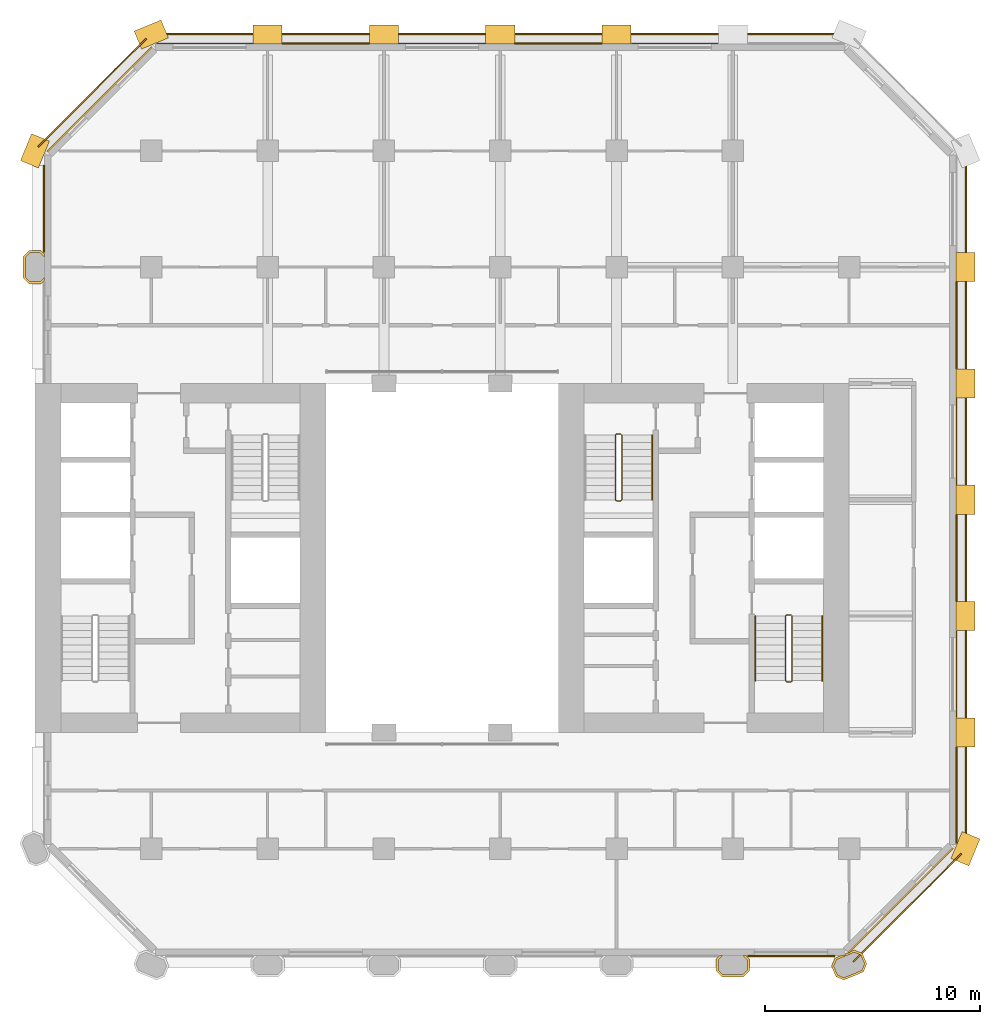
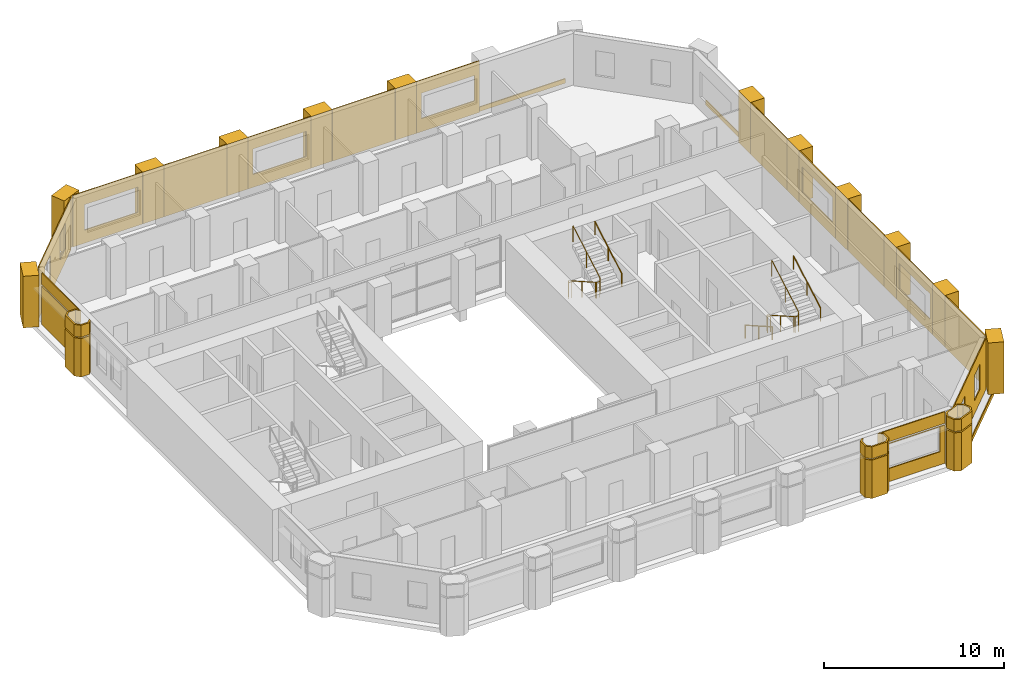
# One storey, part 10 of 11: 38 coverings, 5 railings.
"""IFC4 building model written with IfcOpenShell, lengths in metres."""

from ifc_helpers import new_model, si_unit, direction, frame, frame_2d, origin, origin_2d, place, context, subcontext, project, spatial, polyline, rectangle, circle, outline, extrude, material, layer, layer_set, type_object, element, save


model = new_model("IFC4")

# Units and contexts
model_context = context("Model", 3, precision=1e-05, world=origin(), true_north=direction((0.0, 1.0)))
body_context = subcontext(model_context, "Body", "Model", "MODEL_VIEW")
ifc_project = project(units=[si_unit("LENGTHUNIT", "METRE"), si_unit("AREAUNIT", "SQUARE_METRE"), si_unit("VOLUMEUNIT", "CUBIC_METRE"), si_unit("PLANEANGLEUNIT", "RADIAN"), si_unit("MASSUNIT", "GRAM", prefix="KILO")], contexts=[model_context])

# Site, building, storey
site_placement = place(None, origin())
site = spatial("IfcSite", under=ifc_project, at=site_placement, CompositionType="ELEMENT")
building_placement = place(site_placement, origin())
building = spatial("IfcBuilding", under=site, at=building_placement, Name="Tabaq Tower and Sports Hall", CompositionType="ELEMENT")
storey_placement = place(building_placement, frame((0.0, 0.0, 84.0)))
storey = spatial("IfcBuildingStorey", under=building, at=storey_placement, Name="L19", CompositionType="ELEMENT", Elevation=84.0)

# Coverings
ifc_material_1 = material(Name="Precast concrete C60/75", Category="concrete")
ifc_layer_1 = layer(ifc_material_1, 0.10009765625)
ifc_layer_set_1 = layer_set([ifc_layer_1], Name="Column cladding 100")
covering_type_1 = type_object("IfcCoveringType", Name="Column cladding 100", PredefinedType="CLADDING", material=ifc_layer_set_1)
covering_1_placement = place(storey_placement, origin())
element("IfcCovering", 1, at=covering_1_placement, inside=storey, type_object=covering_type_1, Name="Column cladding L19 PC-2H-O2", PredefinedType="CLADDING", context=body_context, shape_type="SweptSolid", body=[
    extrude(outline(polyline([(5.1337890625, 37.025390625), (4.850341796875, 37.30859375), (4.850341796875, 38.291259765625), (5.1337890625, 38.57470703125), (5.666259765625, 38.57470703125), (5.849609375, 38.391357421875), (5.849609375, 38.250732421875), (5.625244140625, 38.475341796875), (5.1748046875, 38.475341796875), (4.94970703125, 38.250244140625), (4.94970703125, 37.349853515625), (5.1748046875, 37.124755859375), (5.625244140625, 37.124755859375), (5.849609375, 37.349365234375), (5.849609375, 37.208740234375), (5.666259765625, 37.025390625), (5.1337890625, 37.025390625)])), origin(), (0.0, 0.0, 1.0), 2.60009765625),
])
covering_2_placement = place(storey_placement, frame((0.0, 0.0, 2.699951171875)))
element("IfcCovering", 2, at=covering_2_placement, inside=storey, type_object=covering_type_1, Name="Column cladding L19 PC-2H-O2 2", PredefinedType="CLADDING", context=body_context, shape_type="SweptSolid", body=[
    extrude(outline(polyline([(5.1337890625, 37.025390625), (4.850341796875, 37.30859375), (4.850341796875, 38.291259765625), (5.1337890625, 38.57470703125), (5.666259765625, 38.57470703125), (5.849609375, 38.391357421875), (5.849609375, 38.250732421875), (5.625244140625, 38.475341796875), (5.1748046875, 38.475341796875), (4.94970703125, 38.250244140625), (4.94970703125, 37.349853515625), (5.1748046875, 37.124755859375), (5.625244140625, 37.124755859375), (5.849609375, 37.349365234375), (5.849609375, 37.208740234375), (5.666259765625, 37.025390625), (5.1337890625, 37.025390625)])), origin(), (0.0, 0.0, 1.0), 0.800048828125),
])
covering_3_placement = place(storey_placement, origin())
element("IfcCovering", 3, at=covering_3_placement, inside=storey, type_object=covering_type_1, Name="Column cladding L19 PC-8B-O2", PredefinedType="CLADDING", context=body_context, shape_type="SweptSolid", body=[
    extrude(outline(polyline([(37.025390625, 5.666259765625), (37.208740234375, 5.849609375), (37.349365234375, 5.849609375), (37.124755859375, 5.625244140625), (37.124755859375, 5.1748046875), (37.349853515625, 4.94970703125), (38.250244140625, 4.94970703125), (38.475341796875, 5.1748046875), (38.475341796875, 5.625244140625), (38.250732421875, 5.849609375), (38.391357421875, 5.849609375), (38.57470703125, 5.666259765625), (38.57470703125, 5.1337890625), (38.291259765625, 4.850341796875), (37.30859375, 4.850341796875), (37.025390625, 5.1337890625), (37.025390625, 5.666259765625)])), origin(), (0.0, 0.0, 1.0), 2.60009765625),
])
covering_4_placement = place(storey_placement, frame((0.0, 0.0, 2.699951171875)))
element("IfcCovering", 4, at=covering_4_placement, inside=storey, type_object=covering_type_1, Name="Column cladding L19 PC-8B-O2 2", PredefinedType="CLADDING", context=body_context, shape_type="SweptSolid", body=[
    extrude(outline(polyline([(37.025390625, 5.666259765625), (37.208740234375, 5.849609375), (37.349365234375, 5.849609375), (37.124755859375, 5.625244140625), (37.124755859375, 5.1748046875), (37.349853515625, 4.94970703125), (38.250244140625, 4.94970703125), (38.475341796875, 5.1748046875), (38.475341796875, 5.625244140625), (38.250732421875, 5.849609375), (38.391357421875, 5.849609375), (38.57470703125, 5.666259765625), (38.57470703125, 5.1337890625), (38.291259765625, 4.850341796875), (37.30859375, 4.850341796875), (37.025390625, 5.1337890625), (37.025390625, 5.666259765625)])), origin(), (0.0, 0.0, 1.0), 0.800048828125),
])
covering_5_placement = place(storey_placement, origin())
element("IfcCovering", 5, at=covering_5_placement, inside=storey, type_object=covering_type_1, Name="Column cladding L19 PC-9B-O2", PredefinedType="CLADDING", context=body_context, shape_type="SweptSolid", body=[
    extrude(outline(polyline([(42.38232421875, 5.349609375), (42.53564453125, 5.7197265625), (42.84912109375, 5.849609375), (43.013916015625, 5.849609375), (43.013916015625, 5.91796875), (43.16748046875, 5.9814453125), (43.198974609375, 5.9501953125), (43.27490234375, 6.026123046875), (43.443603515625, 6.095947265625), (43.813720703125, 5.9423828125), (44.017578125, 5.450439453125), (43.8642578125, 5.080078125), (42.95654296875, 4.7041015625), (42.586181640625, 4.857421875), (42.38232421875, 5.349609375)]), holes=[polyline([(43.91015625, 5.450439453125), (43.73779296875, 5.866455078125), (43.443603515625, 5.98828125), (42.61181640625, 5.643798828125), (42.489990234375, 5.349609375), (42.662353515625, 4.93359375), (42.95654296875, 4.811767578125), (43.7880859375, 5.15625), (43.91015625, 5.450439453125)])]), origin(), (0.0, 0.0, 1.0), 2.60009765625),
])
covering_6_placement = place(storey_placement, frame((0.0, 0.0, 2.699951171875)))
element("IfcCovering", 6, at=covering_6_placement, inside=storey, type_object=covering_type_1, Name="Column cladding L19 PC-9B-O2 2", PredefinedType="CLADDING", context=body_context, shape_type="SweptSolid", body=[
    extrude(outline(polyline([(42.38232421875, 5.349609375), (42.53564453125, 5.7197265625), (42.84912109375, 5.849609375), (43.013916015625, 5.849609375), (43.013916015625, 5.91796875), (43.16748046875, 5.9814453125), (43.198974609375, 5.9501953125), (43.27490234375, 6.026123046875), (43.443603515625, 6.095947265625), (43.813720703125, 5.9423828125), (44.017578125, 5.450439453125), (43.8642578125, 5.080078125), (42.95654296875, 4.7041015625), (42.586181640625, 4.857421875), (42.38232421875, 5.349609375)]), holes=[polyline([(43.91015625, 5.450439453125), (43.73779296875, 5.866455078125), (43.443603515625, 5.98828125), (42.61181640625, 5.643798828125), (42.489990234375, 5.349609375), (42.662353515625, 4.93359375), (42.95654296875, 4.811767578125), (43.7880859375, 5.15625), (43.91015625, 5.450439453125)])]), origin(), (0.0, 0.0, 1.0), 0.800048828125),
])
ifc_material_2 = material(Name="Precast concrete C60/75", Category="concrete")
ifc_layer_2 = layer(ifc_material_2, 0.06005859375)
ifc_layer_set_2 = layer_set([ifc_layer_2], Name="Edge beam cladding 60")
covering_type_2 = type_object("IfcCoveringType", Name="Edge beam cladding 60", PredefinedType="CLADDING", material=ifc_layer_set_2)
covering_7_placement = place(storey_placement, frame((43.39794921875, 5.5556640625, -0.300048828125), z_axis=(0.0, 0.0, 1.0), x_axis=(0.707124002701, 0.707089559252, 0.0)))
element("IfcCovering", 7, at=covering_7_placement, inside=storey, type_object=covering_type_2, Name="Edge beam cladding L19 1", PredefinedType="CLADDING", context=body_context, shape_type="SweptSolid", body=[
    extrude(rectangle(XDim=7.088134765625, YDim=0.06005859375, at=frame_2d((3.5439453125, 0.0))), origin(), (0.0, 0.0, 1.0), 0.300048828125),
])
for number, where, z_axis, x_axis, name in (
    (8, (48.6298828125, 11.0986328125, -0.300048828125), (0.0, 0.0, 1.0), (0.0, 1.0, 0.0), "Edge beam cladding L19 2"),
    (9, (42.9013671875, 48.6298828125, -0.300048828125), (0.0, 0.0, 1.0), (-1.0, 0.0, 0.0), "Edge beam cladding L19 4"),
):
    element("IfcCovering", number, at=place(storey_placement, frame(where, z_axis=z_axis, x_axis=x_axis)), inside=storey, type_object=covering_type_2, Name=name, PredefinedType="CLADDING", context=body_context, shape_type="SweptSolid", body=[
        extrude(rectangle(XDim=31.802734375, YDim=0.06005859375, at=frame_2d((15.9013671875, 0.0))), origin(), (0.0, 0.0, 1.0), 0.300048828125),
    ])
covering_8_placement = place(storey_placement, frame((10.567626953125, 48.41015625, -0.300048828125), z_axis=(0.0, 0.0, 1.0), x_axis=(-0.707089559252, -0.707124002701, 0.0)))
element("IfcCovering", 10, at=covering_8_placement, inside=storey, type_object=covering_type_2, Name="Edge beam cladding L19 5", PredefinedType="CLADDING", context=body_context, shape_type="SweptSolid", body=[
    extrude(rectangle(XDim=7.088134765625, YDim=0.06005859375, at=frame_2d((3.5439453125, 0.0))), origin(), (0.0, 0.0, 1.0), 0.300048828125),
])
ifc_material_3 = material(Name="White precast concrete C60/75", Category="concrete")
covering_type_3 = type_object("IfcCoveringType", Name="Pier cladding hung 1350x900", PredefinedType="CLADDING", material=ifc_material_3)
for number, where, z_axis, x_axis, name in (
    (11, (5.658203125, 43.82373046875, 0.0), (0.0, 0.0, 1.0), (-0.382649923473, -0.923893411637, 0.0), "Hung pier cladding 1/8"),
    (12, (11.423583984375, 48.8583984375, 0.0), (0.0, 0.0, 1.0), (-0.923893411637, -0.382649923473, 0.0), "Hung pier cladding 2/9"),
    (13, (16.875, 48.60009765625, 0.0), (0.0, 0.0, 1.0), (-1.0, 0.0, 0.0), "Hung pier cladding 3/9"),
):
    element("IfcCovering", number, at=place(storey_placement, frame(where, z_axis=z_axis, x_axis=x_axis)), inside=storey, type_object=covering_type_3, Name=name, PredefinedType="CLADDING", context=body_context, shape_type="SweptSolid", body=[
        extrude(rectangle(XDim=1.35009765625, YDim=0.89990234375, at=frame_2d((0.675048828125, 0.0))), origin(), (0.0, 0.0, 1.0), 3.5),
    ])
covering_9_placement = place(storey_placement, frame((22.27490234375, 48.60009765625, 0.0), z_axis=(0.0, 0.0, 1.0), x_axis=(-1.0, 0.0, 0.0)))
element("IfcCovering", 14, at=covering_9_placement, inside=storey, type_object=covering_type_3, Name="Hung pier cladding 4/9", PredefinedType="CLADDING", context=body_context, shape_type="SweptSolid", body=[
    extrude(rectangle(XDim=1.349853515625, YDim=0.89990234375, at=frame_2d((0.6748046875, 0.0))), origin(), (0.0, 0.0, 1.0), 3.5),
])
covering_10_placement = place(storey_placement, frame((27.675048828125, 48.60009765625, 0.0), z_axis=(0.0, 0.0, 1.0), x_axis=(-1.0, 0.0, 0.0)))
element("IfcCovering", 15, at=covering_10_placement, inside=storey, type_object=covering_type_3, Name="Hung pier cladding 5/9", PredefinedType="CLADDING", context=body_context, shape_type="SweptSolid", body=[
    extrude(rectangle(XDim=1.35009765625, YDim=0.89990234375, at=frame_2d((0.675048828125, 0.0))), origin(), (0.0, 0.0, 1.0), 3.5),
])
covering_11_placement = place(storey_placement, frame((33.074951171875, 48.60009765625, 0.0), z_axis=(0.0, 0.0, 1.0), x_axis=(-1.0, 0.0, 0.0)))
element("IfcCovering", 16, at=covering_11_placement, inside=storey, type_object=covering_type_3, Name="Hung pier cladding 6/9", PredefinedType="CLADDING", context=body_context, shape_type="SweptSolid", body=[
    extrude(rectangle(XDim=1.349853515625, YDim=0.89990234375, at=frame_2d((0.6748046875, 0.0))), origin(), (0.0, 0.0, 1.0), 3.5),
])
for number, where, z_axis, x_axis, name in (
    (17, (48.341796875, 10.17626953125, 0.0), (0.0, 0.0, 1.0), (0.382649923473, 0.923893411637, 0.0), "Hung pier cladding 9/2"),
    (18, (48.60009765625, 15.52490234375, 0.0), (0.0, 0.0, 1.0), (0.0, 1.0, 0.0), "Hung pier cladding 9/3"),
):
    element("IfcCovering", number, at=place(storey_placement, frame(where, z_axis=z_axis, x_axis=x_axis)), inside=storey, type_object=covering_type_3, Name=name, PredefinedType="CLADDING", context=body_context, shape_type="SweptSolid", body=[
        extrude(rectangle(XDim=1.35009765625, YDim=0.89990234375, at=frame_2d((0.675048828125, 0.0))), origin(), (0.0, 0.0, 1.0), 3.5),
    ])
covering_12_placement = place(storey_placement, frame((48.60009765625, 20.925048828125, 0.0), z_axis=(0.0, 0.0, 1.0), x_axis=(0.0, 1.0, 0.0)))
element("IfcCovering", 19, at=covering_12_placement, inside=storey, type_object=covering_type_3, Name="Hung pier cladding 9/4", PredefinedType="CLADDING", context=body_context, shape_type="SweptSolid", body=[
    extrude(rectangle(XDim=1.349853515625, YDim=0.89990234375, at=frame_2d((0.6748046875, 0.0))), origin(), (0.0, 0.0, 1.0), 3.5),
])
covering_13_placement = place(storey_placement, frame((48.60009765625, 26.324951171875, 0.0), z_axis=(0.0, 0.0, 1.0), x_axis=(0.0, 1.0, 0.0)))
element("IfcCovering", 20, at=covering_13_placement, inside=storey, type_object=covering_type_3, Name="Hung pier cladding 9/5", PredefinedType="CLADDING", context=body_context, shape_type="SweptSolid", body=[
    extrude(rectangle(XDim=1.35009765625, YDim=0.89990234375, at=frame_2d((0.675048828125, 0.0))), origin(), (0.0, 0.0, 1.0), 3.5),
])
covering_14_placement = place(storey_placement, frame((48.60009765625, 31.72509765625, 0.0), z_axis=(0.0, 0.0, 1.0), x_axis=(0.0, 1.0, 0.0)))
element("IfcCovering", 21, at=covering_14_placement, inside=storey, type_object=covering_type_3, Name="Hung pier cladding 9/6", PredefinedType="CLADDING", context=body_context, shape_type="SweptSolid", body=[
    extrude(rectangle(XDim=1.349853515625, YDim=0.89990234375, at=frame_2d((0.6748046875, 0.0))), origin(), (0.0, 0.0, 1.0), 3.5),
])
covering_15_placement = place(storey_placement, frame((48.60009765625, 37.125, 0.0), z_axis=(0.0, 0.0, 1.0), x_axis=(0.0, 1.0, 0.0)))
element("IfcCovering", 22, at=covering_15_placement, inside=storey, type_object=covering_type_3, Name="Hung pier cladding 9/7", PredefinedType="CLADDING", context=body_context, shape_type="SweptSolid", body=[
    extrude(rectangle(XDim=1.35009765625, YDim=0.89990234375, at=frame_2d((0.675048828125, 0.0))), origin(), (0.0, 0.0, 1.0), 3.5),
])

# Railings
ifc_material_4 = material(Name="Stainless steel", Category="steel")
railing_type_1 = type_object("IfcRailingType", Name="Stair guard", PredefinedType="GUARDRAIL", material=ifc_material_4)
railing_1_placement = place(storey_placement, frame((40.5, 21.64990234375, 0.0)))
element("IfcRailing", 23, at=railing_1_placement, inside=storey, type_object=railing_type_1, Name="L19 ST3 stair guard 1", PredefinedType="GUARDRAIL", context=body_context, shape_type="SweptSolid", body=[
    extrude(circle(Radius=0.02392578125, at=origin_2d()), frame((0.0, 0.0, 1.076171875), z_axis=(-1.0, 0.0, 0.0), x_axis=(0.0, -1.0, 0.0)), (0.0, 0.0, 1.0), 0.199951171875),
    extrude(circle(Radius=0.02392578125, at=origin_2d()), frame((-0.199951171875, 0.0, 1.076171875), z_axis=(-0.246983470365, -0.245778672949, 0.937332389972), x_axis=(0.705375805398, -0.708833529934, 0.0)), (0.0, 0.0, 1.0), 0.20263671875),
    extrude(circle(Radius=0.02392578125, at=origin_2d()), frame((-0.25, -0.0498046875, 1.26611328125), z_axis=(0.0, -0.868782136927, 0.495194505781), x_axis=(1.0, 0.0, 0.0)), (0.0, 0.0, 1.0), 3.453125),
    extrude(circle(Radius=0.02392578125, at=origin_2d()), frame((-0.25, -3.0498046875, 2.97607421875), z_axis=(0.707106781187, -0.707106781187, 0.0), x_axis=(0.707106781187, 0.707106781187, 0.0)), (0.0, 0.0, 1.0), 0.07080078125),
    extrude(circle(Radius=0.02392578125, at=origin_2d()), frame((-0.199951171875, -3.099853515625, 2.97607421875), z_axis=(1.0, 0.0, 0.0), x_axis=(0.0, 1.0, 0.0)), (0.0, 0.0, 1.0), 0.199951171875),
    extrude(circle(Radius=0.02392578125, at=origin_2d()), frame((0.0, -3.099853515625, 2.97607421875), z_axis=(0.246631811833, 0.246631811833, 0.937200884967), x_axis=(-0.707106781187, 0.707106781187, 0.0)), (0.0, 0.0, 1.0), 0.202880859375),
    extrude(circle(Radius=0.02392578125, at=origin_2d()), frame((0.050048828125, -3.0498046875, 3.166015625), z_axis=(0.0, 0.868782136927, 0.495194505781), x_axis=(-1.0, 0.0, 0.0)), (0.0, 0.0, 1.0), 3.453125),
    extrude(circle(Radius=0.02099609375, at=origin_2d()), origin(), (0.0, 0.0, 1.0), 1.052001953125),
    extrude(circle(Radius=0.02099609375, at=origin_2d()), frame((-0.199951171875, 0.0, 0.0)), (0.0, 0.0, 1.0), 1.052001953125),
    extrude(circle(Radius=0.02099609375, at=origin_2d()), frame((-0.25, -0.0498046875, 0.18994140625)), (0.0, 0.0, 1.0), 1.052001953125),
    extrude(circle(Radius=0.02099609375, at=origin_2d()), frame((-0.25, -1.5498046875, 1.044921875)), (0.0, 0.0, 1.0), 1.052001953125),
    extrude(circle(Radius=0.02099609375, at=origin_2d()), frame((-0.25, -3.0498046875, 1.89990234375)), (0.0, 0.0, 1.0), 1.052001953125),
    extrude(circle(Radius=0.02099609375, at=origin_2d()), frame((-0.199951171875, -3.099853515625, 1.89990234375)), (0.0, 0.0, 1.0), 1.052001953125),
    extrude(circle(Radius=0.02099609375, at=origin_2d()), frame((0.0, -3.099853515625, 1.89990234375)), (0.0, 0.0, 1.0), 1.052001953125),
    extrude(circle(Radius=0.02099609375, at=origin_2d()), frame((0.050048828125, -3.0498046875, 2.090087890625)), (0.0, 0.0, 1.0), 1.052001953125),
    extrude(circle(Radius=0.02099609375, at=origin_2d()), frame((0.050048828125, -1.5498046875, 2.945068359375)), (0.0, 0.0, 1.0), 1.052001953125),
    extrude(circle(Radius=0.02099609375, at=origin_2d()), frame((0.050048828125, -0.0498046875, 3.800048828125)), (0.0, 0.0, 1.0), 1.052001953125),
])
railing_2_placement = place(storey_placement, frame((32.60009765625, 30.050048828125, 0.0)))
element("IfcRailing", 24, at=railing_2_placement, inside=storey, type_object=railing_type_1, Name="L19 ST4 stair guard 1", PredefinedType="GUARDRAIL", context=body_context, shape_type="SweptSolid", body=[
    extrude(circle(Radius=0.02392578125, at=origin_2d()), frame((0.0, 0.0, 1.076171875), z_axis=(-1.0, 0.0, 0.0), x_axis=(0.0, -1.0, 0.0)), (0.0, 0.0, 1.0), 0.2001953125),
    extrude(circle(Radius=0.02392578125, at=origin_2d()), frame((-0.2001953125, 0.0, 1.076171875), z_axis=(-0.245778672949, -0.246983470365, 0.937332389972), x_axis=(0.708833529934, -0.705375805398, 0.0)), (0.0, 0.0, 1.0), 0.20263671875),
    extrude(circle(Radius=0.02392578125, at=origin_2d()), frame((-0.25, -0.050048828125, 1.26611328125), z_axis=(0.0, -0.868782136927, 0.495194505781), x_axis=(1.0, 0.0, 0.0)), (0.0, 0.0, 1.0), 3.453125),
    extrude(circle(Radius=0.02392578125, at=origin_2d()), frame((-0.25, -3.050048828125, 2.97607421875), z_axis=(0.705375805398, -0.708833529934, 0.0), x_axis=(0.708833529934, 0.705375805398, 0.0)), (0.0, 0.0, 1.0), 0.070556640625),
    extrude(circle(Radius=0.02392578125, at=origin_2d()), frame((-0.2001953125, -3.10009765625, 2.97607421875), z_axis=(1.0, 0.0, 0.0), x_axis=(0.0, 1.0, 0.0)), (0.0, 0.0, 1.0), 0.2001953125),
    extrude(circle(Radius=0.02392578125, at=origin_2d()), frame((0.0, -3.10009765625, 2.97607421875), z_axis=(0.245501407671, 0.246704845944, 0.937478414588), x_axis=(-0.708833529934, 0.705375805398, 0.0)), (0.0, 0.0, 1.0), 0.202880859375),
    extrude(circle(Radius=0.02392578125, at=origin_2d()), frame((0.0498046875, -3.050048828125, 3.166015625), z_axis=(0.0, 0.868782136927, 0.495194505781), x_axis=(-1.0, 0.0, 0.0)), (0.0, 0.0, 1.0), 3.453125),
    extrude(circle(Radius=0.02099609375, at=origin_2d()), origin(), (0.0, 0.0, 1.0), 1.052001953125),
    extrude(circle(Radius=0.02099609375, at=origin_2d()), frame((-0.2001953125, 0.0, 0.0)), (0.0, 0.0, 1.0), 1.052001953125),
    extrude(circle(Radius=0.02099609375, at=origin_2d()), frame((-0.25, -0.050048828125, 0.18994140625)), (0.0, 0.0, 1.0), 1.052001953125),
    extrude(circle(Radius=0.02099609375, at=origin_2d()), frame((-0.25, -1.550048828125, 1.044921875)), (0.0, 0.0, 1.0), 1.052001953125),
    extrude(circle(Radius=0.02099609375, at=origin_2d()), frame((-0.25, -3.050048828125, 1.89990234375)), (0.0, 0.0, 1.0), 1.052001953125),
    extrude(circle(Radius=0.02099609375, at=origin_2d()), frame((-0.2001953125, -3.10009765625, 1.89990234375)), (0.0, 0.0, 1.0), 1.052001953125),
    extrude(circle(Radius=0.02099609375, at=origin_2d()), frame((0.0, -3.10009765625, 1.89990234375)), (0.0, 0.0, 1.0), 1.052001953125),
    extrude(circle(Radius=0.02099609375, at=origin_2d()), frame((0.0498046875, -3.050048828125, 2.090087890625)), (0.0, 0.0, 1.0), 1.052001953125),
    extrude(circle(Radius=0.02099609375, at=origin_2d()), frame((0.0498046875, -1.550048828125, 2.945068359375)), (0.0, 0.0, 1.0), 1.052001953125),
    extrude(circle(Radius=0.02099609375, at=origin_2d()), frame((0.0498046875, -0.050048828125, 3.800048828125)), (0.0, 0.0, 1.0), 1.052001953125),
])
ifc_material_5 = material(Name="Stainless steel", Category="steel")
railing_type_2 = type_object("IfcRailingType", Name="Stair handrail", PredefinedType="HANDRAIL", material=ifc_material_5)
railing_3_placement = place(storey_placement, frame((38.85009765625, 21.60009765625, 0.18994140625)))
element("IfcRailing", 25, at=railing_3_placement, inside=storey, type_object=railing_type_2, Name="L19 ST3 stair handrail 1", PredefinedType="HANDRAIL", context=body_context, shape_type="SweptSolid", body=[
    extrude(circle(Radius=0.02392578125, at=origin_2d()), frame((0.0, 0.0, 0.8759765625), z_axis=(0.0, -0.868782136927, 0.495194505781), x_axis=(1.0, 0.0, 0.0)), (0.0, 0.0, 1.0), 3.453125),
    extrude(circle(Radius=0.02099609375, at=origin_2d()), origin(), (0.0, 0.0, 1.0), 0.851806640625),
    extrude(circle(Radius=0.02099609375, at=origin_2d()), frame((0.0, -1.5, 0.85498046875)), (0.0, 0.0, 1.0), 0.851806640625),
    extrude(circle(Radius=0.02099609375, at=origin_2d()), frame((0.0, -3.0, 1.7099609375)), (0.0, 0.0, 1.0), 0.851806640625),
])
for number, where, name in (
    (26, (41.949951171875, 18.60009765625, 2.090087890625), "L19 ST3 stair handrail 2"),
    (27, (34.050048828125, 27.0, 2.090087890625), "L19 ST4 stair handrail 2"),
):
    element("IfcRailing", number, at=place(storey_placement, frame(where)), inside=storey, type_object=railing_type_2, Name=name, PredefinedType="HANDRAIL", context=body_context, shape_type="SweptSolid", body=[
        extrude(circle(Radius=0.02392578125, at=origin_2d()), frame((0.0, 0.0, 0.8759765625), z_axis=(0.0, 0.868782136927, 0.495194505781), x_axis=(-1.0, 0.0, 0.0)), (0.0, 0.0, 1.0), 3.453125),
        extrude(circle(Radius=0.02099609375, at=origin_2d()), origin(), (0.0, 0.0, 1.0), 0.851806640625),
        extrude(circle(Radius=0.02099609375, at=origin_2d()), frame((0.0, 1.5, 0.85498046875)), (0.0, 0.0, 1.0), 0.851806640625),
        extrude(circle(Radius=0.02099609375, at=origin_2d()), frame((0.0, 3.0, 1.7099609375)), (0.0, 0.0, 1.0), 0.851806640625),
    ])

# Coverings
ifc_material_6 = material(Name="Precast concrete C60/75", Category="concrete")
ifc_layer_3 = layer(ifc_material_6, 0.06005859375)
ifc_layer_set_3 = layer_set([ifc_layer_3], Name="White precast cladding panel 60 C60/75")
covering_type_4 = type_object("IfcCoveringType", Name="White precast cladding panel 60 C60/75", PredefinedType="CLADDING", material=ifc_layer_set_3)
covering_16_placement = place(storey_placement, frame((38.485107421875, 5.820068359375, 0.0), z_axis=(0.0, 0.0, 1.0), x_axis=(1.0, 0.0, 0.0)))
element("IfcCovering", 28, at=covering_16_placement, inside=storey, type_object=covering_type_4, Name="White precast cladding panel L19 wall00 11", PredefinedType="CLADDING", context=body_context, shape_type="SweptSolid", body=[
    extrude(outline(polyline([(0.0, 0.0), (4.0498046875, 0.0), (4.0498046875, 2.590087890625), (0.0, 2.590087890625), (0.0, 0.0)]), holes=[polyline([(3.72509765625, 0.889892578125), (0.304931640625, 0.889892578125), (0.304931640625, 2.56005859375), (3.72509765625, 2.56005859375), (3.72509765625, 0.889892578125)])]), frame((0.0, 0.030029296875, 0.0), z_axis=(0.0, -1.0, 0.0), x_axis=(1.0, 0.0, 0.0)), (0.0, 0.0, 1.0), 0.06005859375),
])
covering_17_placement = place(storey_placement, frame((38.485107421875, 5.820068359375, 2.7099609375), z_axis=(0.0, 0.0, 1.0), x_axis=(1.0, 0.0, 0.0)))
element("IfcCovering", 29, at=covering_17_placement, inside=storey, type_object=covering_type_4, Name="White precast cladding panel L19 wall00 12", PredefinedType="CLADDING", context=body_context, shape_type="SweptSolid", body=[
    extrude(rectangle(XDim=4.0498046875, YDim=0.06005859375, at=frame_2d((2.02490234375, 0.0))), origin(), (0.0, 0.0, 1.0), 0.7900390625),
])
covering_18_placement = place(storey_placement, frame((43.177734375, 5.9716796875, 0.0), z_axis=(0.0, 0.0, 1.0), x_axis=(0.707106781187, 0.707106781187, 0.0)))
element("IfcCovering", 30, at=covering_18_placement, inside=storey, type_object=covering_type_4, Name="White precast cladding panel L19 wall01", PredefinedType="CLADDING", context=body_context, shape_type="SweptSolid", body=[
    extrude(outline(polyline([(0.0, 0.0), (6.85986328125, 0.0), (6.85986328125, 3.5), (0.0, 3.5), (0.0, 0.0)]), holes=[polyline([(1.269775390625, 2.610107421875), (2.389892578125, 2.610107421875), (2.389892578125, 0.889892578125), (1.269775390625, 0.889892578125), (1.269775390625, 2.610107421875)]), polyline([(4.4697265625, 2.610107421875), (5.58984375, 2.610107421875), (5.58984375, 0.889892578125), (4.4697265625, 0.889892578125), (4.4697265625, 2.610107421875)])]), frame((0.0, 0.030029296875, 0.0), z_axis=(0.0, -1.0, 0.0), x_axis=(1.0, 0.0, 0.0)), (0.0, 0.0, 1.0), 0.06005859375),
])
covering_19_placement = place(storey_placement, frame((48.179931640625, 11.043212890625, 0.0), z_axis=(0.0, 0.0, 1.0), x_axis=(0.0, 1.0, 0.0)))
element("IfcCovering", 31, at=covering_19_placement, inside=storey, type_object=covering_type_4, Name="White precast cladding panel L19 wall02", PredefinedType="CLADDING", context=body_context, shape_type="SweptSolid", body=[
    extrude(rectangle(XDim=4.4716796875, YDim=0.06005859375, at=frame_2d((2.23583984375, 0.0))), origin(), (0.0, 0.0, 1.0), 3.5),
])
covering_20_placement = place(storey_placement, frame((48.179931640625, 16.885009765625, 0.0), z_axis=(0.0, 0.0, 1.0), x_axis=(0.0, 1.0, 0.0)))
element("IfcCovering", 32, at=covering_20_placement, inside=storey, type_object=covering_type_4, Name="White precast cladding panel L19 wall02 2", PredefinedType="CLADDING", context=body_context, shape_type="SweptSolid", body=[
    extrude(outline(polyline([(0.0, 0.0), (4.030029296875, 0.0), (4.030029296875, 3.5), (0.0, 3.5), (0.0, 0.0)]), holes=[polyline([(0.304931640625, 0.889892578125), (0.304931640625, 2.610107421875), (3.72509765625, 2.610107421875), (3.72509765625, 0.889892578125), (0.304931640625, 0.889892578125)])]), frame((0.0, 0.030029296875, 0.0), z_axis=(0.0, -1.0, 0.0), x_axis=(1.0, 0.0, 0.0)), (0.0, 0.0, 1.0), 0.06005859375),
])
covering_21_placement = place(storey_placement, frame((48.179931640625, 22.284912109375, 0.0), z_axis=(0.0, 0.0, 1.0), x_axis=(0.0, 1.0, 0.0)))
element("IfcCovering", 33, at=covering_21_placement, inside=storey, type_object=covering_type_4, Name="White precast cladding panel L19 wall02 3", PredefinedType="CLADDING", context=body_context, shape_type="SweptSolid", body=[
    extrude(rectangle(XDim=4.030029296875, YDim=0.06005859375, at=frame_2d((2.01513671875, 0.0))), origin(), (0.0, 0.0, 1.0), 3.5),
])
covering_22_placement = place(storey_placement, frame((48.179931640625, 27.68505859375, 0.0), z_axis=(0.0, 0.0, 1.0), x_axis=(0.0, 1.0, 0.0)))
element("IfcCovering", 34, at=covering_22_placement, inside=storey, type_object=covering_type_4, Name="White precast cladding panel L19 wall02 4", PredefinedType="CLADDING", context=body_context, shape_type="SweptSolid", body=[
    extrude(outline(polyline([(0.0, 0.0), (4.030029296875, 0.0), (4.030029296875, 3.5), (0.0, 3.5), (0.0, 0.0)]), holes=[polyline([(0.304931640625, 0.889892578125), (0.304931640625, 2.610107421875), (3.72509765625, 2.610107421875), (3.72509765625, 0.889892578125), (0.304931640625, 0.889892578125)])]), frame((0.0, 0.030029296875, 0.0), z_axis=(0.0, -1.0, 0.0), x_axis=(1.0, 0.0, 0.0)), (0.0, 0.0, 1.0), 0.06005859375),
])
covering_23_placement = place(storey_placement, frame((48.179931640625, 33.0849609375, 0.0), z_axis=(0.0, 0.0, 1.0), x_axis=(0.0, 1.0, 0.0)))
element("IfcCovering", 35, at=covering_23_placement, inside=storey, type_object=covering_type_4, Name="White precast cladding panel L19 wall02 5", PredefinedType="CLADDING", context=body_context, shape_type="SweptSolid", body=[
    extrude(rectangle(XDim=4.030029296875, YDim=0.06005859375, at=frame_2d((2.01513671875, 0.0))), origin(), (0.0, 0.0, 1.0), 3.5),
])
covering_24_placement = place(storey_placement, frame((37.114990234375, 48.179931640625, 0.0), z_axis=(0.0, 0.0, 1.0), x_axis=(-1.0, 0.0, 0.0)))
element("IfcCovering", 36, at=covering_24_placement, inside=storey, type_object=covering_type_4, Name="White precast cladding panel L19 wall04 2", PredefinedType="CLADDING", context=body_context, shape_type="SweptSolid", body=[
    extrude(outline(polyline([(0.0, 0.0), (4.030029296875, 0.0), (4.030029296875, 3.5), (0.0, 3.5), (0.0, 0.0)]), holes=[polyline([(0.304931640625, 0.889892578125), (0.304931640625, 2.610107421875), (3.72509765625, 2.610107421875), (3.72509765625, 0.889892578125), (0.304931640625, 0.889892578125)])]), frame((0.0, 0.030029296875, 0.0), z_axis=(0.0, -1.0, 0.0), x_axis=(1.0, 0.0, 0.0)), (0.0, 0.0, 1.0), 0.06005859375),
])
covering_25_placement = place(storey_placement, frame((31.715087890625, 48.179931640625, 0.0), z_axis=(0.0, 0.0, 1.0), x_axis=(-1.0, 0.0, 0.0)))
element("IfcCovering", 37, at=covering_25_placement, inside=storey, type_object=covering_type_4, Name="White precast cladding panel L19 wall04 3", PredefinedType="CLADDING", context=body_context, shape_type="SweptSolid", body=[
    extrude(rectangle(XDim=4.030029296875, YDim=0.06005859375, at=frame_2d((2.01513671875, 0.0))), origin(), (0.0, 0.0, 1.0), 3.5),
])
covering_26_placement = place(storey_placement, frame((26.31494140625, 48.179931640625, 0.0), z_axis=(0.0, 0.0, 1.0), x_axis=(-1.0, 0.0, 0.0)))
element("IfcCovering", 38, at=covering_26_placement, inside=storey, type_object=covering_type_4, Name="White precast cladding panel L19 wall04 4", PredefinedType="CLADDING", context=body_context, shape_type="SweptSolid", body=[
    extrude(outline(polyline([(0.0, 0.0), (4.030029296875, 0.0), (4.030029296875, 3.5), (0.0, 3.5), (0.0, 0.0)]), holes=[polyline([(0.304931640625, 0.889892578125), (0.304931640625, 2.610107421875), (3.72509765625, 2.610107421875), (3.72509765625, 0.889892578125), (0.304931640625, 0.889892578125)])]), frame((0.0, 0.030029296875, 0.0), z_axis=(0.0, -1.0, 0.0), x_axis=(1.0, 0.0, 0.0)), (0.0, 0.0, 1.0), 0.06005859375),
])
covering_27_placement = place(storey_placement, frame((20.9150390625, 48.179931640625, 0.0), z_axis=(0.0, 0.0, 1.0), x_axis=(-1.0, 0.0, 0.0)))
element("IfcCovering", 39, at=covering_27_placement, inside=storey, type_object=covering_type_4, Name="White precast cladding panel L19 wall04 5", PredefinedType="CLADDING", context=body_context, shape_type="SweptSolid", body=[
    extrude(rectangle(XDim=4.030029296875, YDim=0.06005859375, at=frame_2d((2.01513671875, 0.0))), origin(), (0.0, 0.0, 1.0), 3.5),
])
covering_28_placement = place(storey_placement, frame((15.514892578125, 48.179931640625, 0.0), z_axis=(0.0, 0.0, 1.0), x_axis=(-1.0, 0.0, 0.0)))
element("IfcCovering", 40, at=covering_28_placement, inside=storey, type_object=covering_type_4, Name="White precast cladding panel L19 wall04 6", PredefinedType="CLADDING", context=body_context, shape_type="SweptSolid", body=[
    extrude(outline(polyline([(0.0, 0.0), (4.4716796875, 0.0), (4.4716796875, 3.5), (0.0, 3.5), (0.0, 0.0)]), holes=[polyline([(0.304931640625, 0.889892578125), (0.304931640625, 2.610107421875), (3.72509765625, 2.610107421875), (3.72509765625, 0.889892578125), (0.304931640625, 0.889892578125)])]), frame((0.0, 0.030029296875, 0.0), z_axis=(0.0, -1.0, 0.0), x_axis=(1.0, 0.0, 0.0)), (0.0, 0.0, 1.0), 0.06005859375),
])
covering_29_placement = place(storey_placement, frame((10.822265625, 48.0283203125, 0.0), z_axis=(0.0, 0.0, 1.0), x_axis=(-0.707106781187, -0.707106781187, 0.0)))
element("IfcCovering", 41, at=covering_29_placement, inside=storey, type_object=covering_type_4, Name="White precast cladding panel L19 wall05", PredefinedType="CLADDING", context=body_context, shape_type="SweptSolid", body=[
    extrude(outline(polyline([(0.0, 0.0), (6.85986328125, 0.0), (6.85986328125, 3.5), (0.0, 3.5), (0.0, 0.0)]), holes=[polyline([(1.269775390625, 2.610107421875), (2.389892578125, 2.610107421875), (2.389892578125, 0.889892578125), (1.269775390625, 0.889892578125), (1.269775390625, 2.610107421875)]), polyline([(4.4697265625, 2.610107421875), (5.58984375, 2.610107421875), (5.58984375, 0.889892578125), (4.4697265625, 0.889892578125), (4.4697265625, 2.610107421875)])]), frame((0.0, 0.030029296875, 0.0), z_axis=(0.0, -1.0, 0.0), x_axis=(1.0, 0.0, 0.0)), (0.0, 0.0, 1.0), 0.06005859375),
])
covering_30_placement = place(storey_placement, frame((5.820068359375, 42.534912109375, 0.0), z_axis=(0.0, 0.0, 1.0), x_axis=(0.0, -1.0, 0.0)))
element("IfcCovering", 42, at=covering_30_placement, inside=storey, type_object=covering_type_4, Name="White precast cladding panel L19 wall06", PredefinedType="CLADDING", context=body_context, shape_type="SweptSolid", body=[
    extrude(rectangle(XDim=4.0498046875, YDim=0.06005859375, at=frame_2d((2.02490234375, 0.0))), origin(), (0.0, 0.0, 1.0), 2.590087890625),
])
covering_31_placement = place(storey_placement, frame((5.820068359375, 42.534912109375, 2.7099609375), z_axis=(0.0, 0.0, 1.0), x_axis=(0.0, -1.0, 0.0)))
element("IfcCovering", 43, at=covering_31_placement, inside=storey, type_object=covering_type_4, Name="White precast cladding panel L19 wall06 2", PredefinedType="CLADDING", context=body_context, shape_type="SweptSolid", body=[
    extrude(rectangle(XDim=4.0498046875, YDim=0.06005859375, at=frame_2d((2.02490234375, 0.0))), origin(), (0.0, 0.0, 1.0), 0.7900390625),
])

save(model, "model.ifc")
